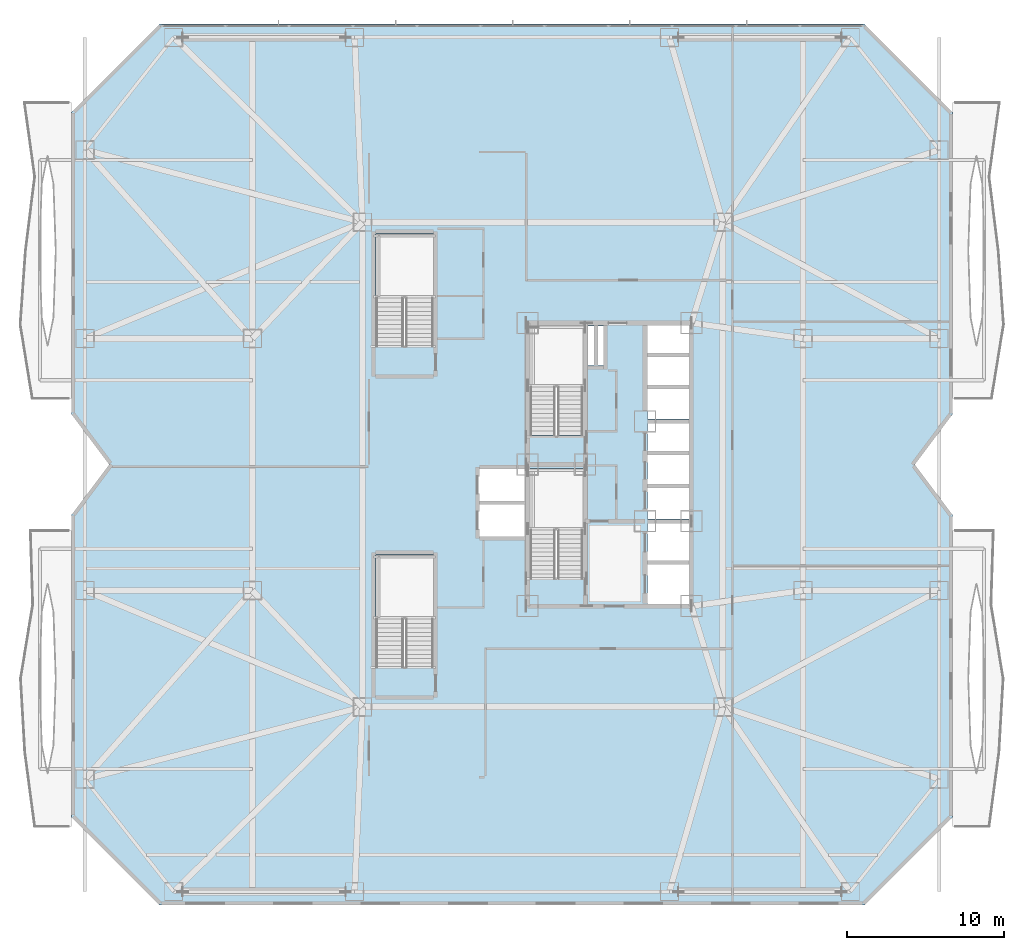
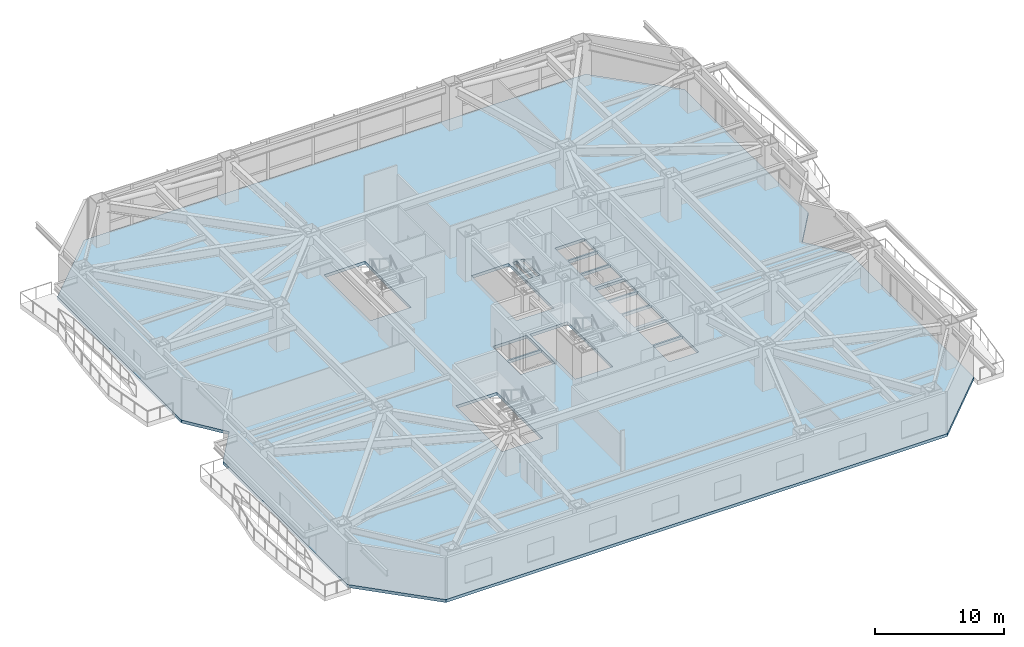
# One storey, part 10 of 25: 1 slab.
"""IFC4 building model written with IfcOpenShell, lengths in metres."""

from ifc_helpers import new_model, si_unit, direction, frame, origin, place, context, subcontext, project, spatial, polyline, outline, extrude, material, layer, layer_set, type_object, element, save


model = new_model("IFC4")

# Units and contexts
model_context = context("Model", 3, precision=1e-05, world=origin(), true_north=direction((0.0, 1.0)))
body_context = subcontext(model_context, "Body", "Model", "MODEL_VIEW")
ifc_project = project(units=[si_unit("LENGTHUNIT", "METRE"), si_unit("AREAUNIT", "SQUARE_METRE"), si_unit("VOLUMEUNIT", "CUBIC_METRE"), si_unit("PLANEANGLEUNIT", "RADIAN"), si_unit("MASSUNIT", "GRAM", prefix="KILO")], contexts=[model_context])

# Site, building, storey
site_placement = place(None, origin())
site = spatial("IfcSite", under=ifc_project, at=site_placement, CompositionType="ELEMENT")
building_placement = place(site_placement, origin())
building = spatial("IfcBuilding", under=site, at=building_placement, Name="Khamvora Tower", CompositionType="ELEMENT")
storey_placement = place(building_placement, frame((0.0, 0.0, 16.199951171875)))
storey = spatial("IfcBuildingStorey", under=building, at=storey_placement, Name="L03", CompositionType="ELEMENT", Elevation=16.199951171875)

# Slab
ifc_material = material(Name="Concrete C35/45", Category="concrete")
ifc_layer = layer(ifc_material, 0.280029296875)
ifc_layer_set = layer_set([ifc_layer], Name="Concrete C35/45")
slab_type = type_object("IfcSlabType", Name="SLB-SCH-280", PredefinedType="FLOOR", material=ifc_layer_set)
slab_placement = place(storey_placement, frame((0.0, 0.0, -0.280029296875)))
element("IfcSlab", 1, at=slab_placement, inside=storey, type_object=slab_type, Name="L03 structural floor slab", PredefinedType="FLOOR", context=body_context, shape_type="SweptSolid", body=[
    extrude(outline(polyline([(5.60009765625, 0.0), (50.39990234375, 0.0), (56.0, 5.60009765625), (56.0, 24.800048828125), (53.60009765625, 28.0), (56.0, 31.199951171875), (56.0, 50.39990234375), (50.39990234375, 56.0), (5.60009765625, 56.0), (0.0, 50.39990234375), (0.0, 31.199951171875), (2.39990234375, 28.0), (0.0, 24.800048828125), (0.0, 5.60009765625), (5.60009765625, 0.0)]), holes=[polyline([(32.5, 20.760009765625), (32.5, 27.75), (29.14990234375, 27.75), (29.14990234375, 20.760009765625), (32.5, 20.760009765625)]), polyline([(32.5, 29.860107421875), (32.5, 36.85009765625), (29.14990234375, 36.85009765625), (29.14990234375, 29.860107421875), (32.5, 29.860107421875)]), polyline([(23.0, 15.110107421875), (23.0, 22.25), (19.35009765625, 22.25), (19.35009765625, 15.110107421875), (23.0, 15.110107421875)]), polyline([(23.0, 35.510009765625), (23.0, 42.64990234375), (19.35009765625, 42.64990234375), (19.35009765625, 35.510009765625), (23.0, 35.510009765625)]), polyline([(36.60009765625, 19.14990234375), (39.25, 19.14990234375), (39.25, 21.64990234375), (36.60009765625, 21.64990234375), (36.60009765625, 19.14990234375)]), polyline([(36.60009765625, 21.800048828125), (39.25, 21.800048828125), (39.25, 24.25), (36.60009765625, 24.25), (36.60009765625, 21.800048828125)]), polyline([(36.60009765625, 24.550048828125), (39.25, 24.550048828125), (39.25, 26.5), (36.60009765625, 26.5), (36.60009765625, 24.550048828125)]), polyline([(36.60009765625, 26.64990234375), (39.25, 26.64990234375), (39.25, 28.60009765625), (36.60009765625, 28.60009765625), (36.60009765625, 26.64990234375)]), polyline([(36.60009765625, 28.75), (39.25, 28.75), (39.25, 30.60009765625), (36.60009765625, 30.60009765625), (36.60009765625, 28.75)]), polyline([(36.60009765625, 30.89990234375), (39.25, 30.89990234375), (39.25, 32.800048828125), (36.60009765625, 32.800048828125), (36.60009765625, 30.89990234375)]), polyline([(36.60009765625, 32.949951171875), (39.25, 32.949951171875), (39.25, 34.85009765625), (36.60009765625, 34.85009765625), (36.60009765625, 32.949951171875)]), polyline([(36.60009765625, 35.0), (39.25, 35.0), (39.25, 36.85009765625), (36.60009765625, 36.85009765625), (36.60009765625, 35.0)]), polyline([(25.800048828125, 23.39990234375), (28.85009765625, 23.39990234375), (28.85009765625, 25.5), (25.800048828125, 25.5), (25.800048828125, 23.39990234375)]), polyline([(25.800048828125, 25.64990234375), (28.85009765625, 25.64990234375), (28.85009765625, 27.75), (25.800048828125, 27.75), (25.800048828125, 25.64990234375)]), polyline([(32.800048828125, 34.300048828125), (33.199951171875, 34.300048828125), (33.199951171875, 36.800048828125), (32.800048828125, 36.800048828125), (32.800048828125, 34.300048828125)]), polyline([(33.47998046875, 34.300048828125), (33.820068359375, 34.300048828125), (33.820068359375, 36.800048828125), (33.47998046875, 36.800048828125), (33.47998046875, 34.300048828125)])]), origin(), (0.0, 0.0, 1.0), 0.280029296875),
])

save(model, "model.ifc")
